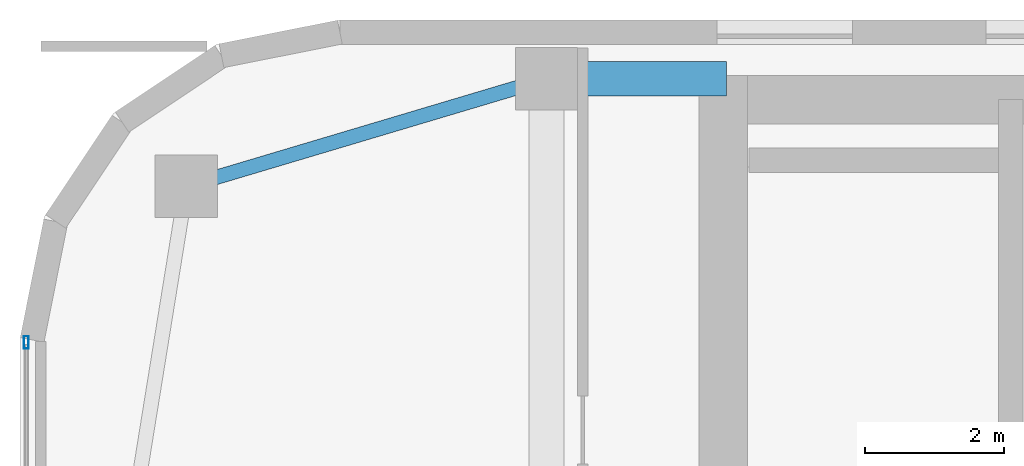
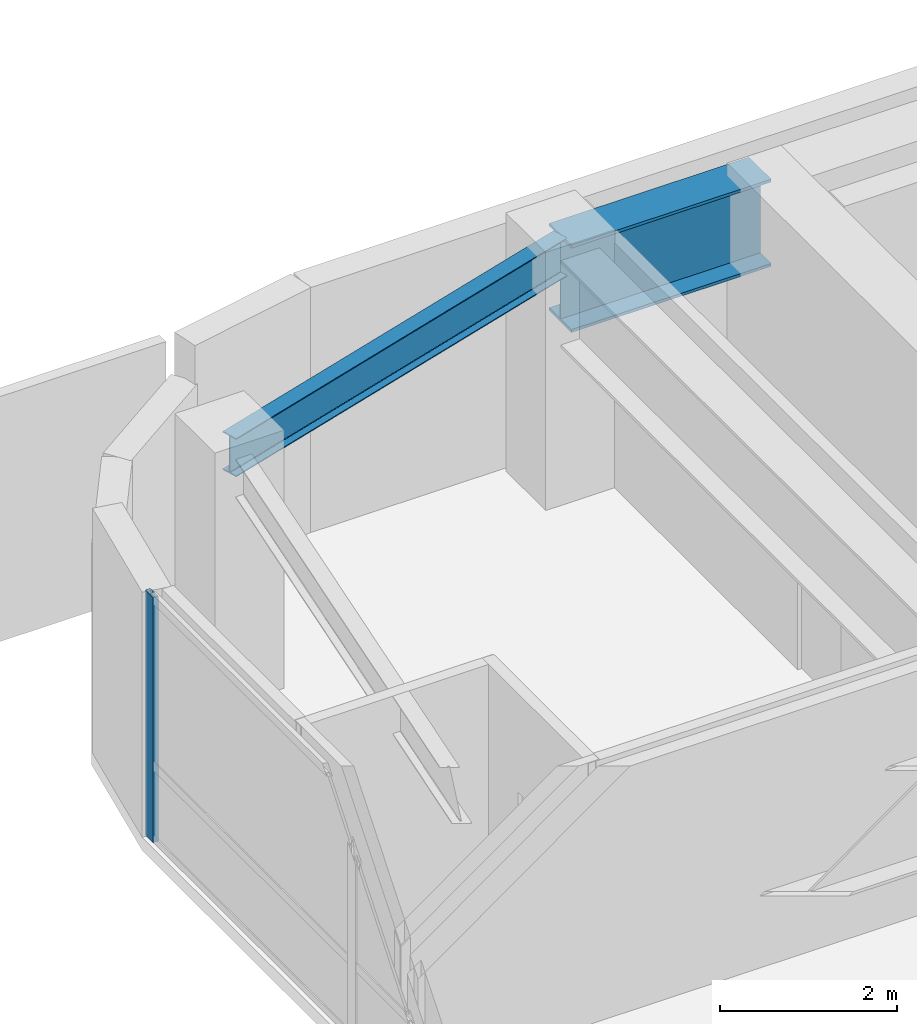
# One storey, part 21 of 30: 2 beams, 1 member, 1 element without a shape of its own.
"""IFC4 building model written with IfcOpenShell, lengths in metres."""

from ifc_helpers import new_model, si_unit, direction, frame, origin, origin_2d, place, context, subcontext, project, spatial, hollow_rectangle, i_section, extrude, source, transform, mapped, material, layer, layer_set, material_profile, profile_set, type_object, type_shapes, element, aggregate, save


model = new_model("IFC4")

# Units and contexts
model_context = context("Model", 3, precision=1e-05, world=origin(), true_north=direction((0.0, 1.0)))
body_context = subcontext(model_context, "Body", "Model", "MODEL_VIEW")
ifc_project = project(units=[si_unit("LENGTHUNIT", "METRE"), si_unit("AREAUNIT", "SQUARE_METRE"), si_unit("VOLUMEUNIT", "CUBIC_METRE"), si_unit("PLANEANGLEUNIT", "RADIAN"), si_unit("MASSUNIT", "GRAM", prefix="KILO")], contexts=[model_context])

# Site, building, storey
site_placement = place(None, origin())
site = spatial("IfcSite", under=ifc_project, at=site_placement, CompositionType="ELEMENT")
building_placement = place(site_placement, origin())
building = spatial("IfcBuilding", under=site, at=building_placement, Name="Tolvann Quenvar Hotel", CompositionType="ELEMENT")
storey_placement = place(building_placement, frame((0.0, 0.0, 100.89990234375)))
storey = spatial("IfcBuildingStorey", under=building, at=storey_placement, Name="L25", CompositionType="ELEMENT", Elevation=100.89990234375)

# Beams
ifc_material_1 = material(Name="Steel Grade 350", Category="steel")
ifc_material_profile_1 = material_profile(ifc_material_1, i_section(OverallWidth=0.208984375, OverallDepth=0.528076171875, WebThickness=0.009521484375, FlangeThickness=0.01318359375, FilletRadius=0.013916015625, at=origin_2d()), Name="530UB82")
ifc_profile_set_1 = profile_set([ifc_material_profile_1], Name="Steel Grade 350")
beam_type_1 = type_object("IfcBeamType", Name="BM_SPAND_530UB82", PredefinedType="SPANDREL", material=ifc_profile_set_1)
shared_shape_1 = source(origin(), body_context, "Body", "SweptSolid", [
    extrude(i_section(OverallWidth=0.208984375, OverallDepth=0.528076171875, WebThickness=0.009521484375, FlangeThickness=0.01318359375, FilletRadius=0.013916015625, at=origin_2d()), origin(), (0.0, 0.0, 1.0), 5.42626953125),
])
type_shapes(beam_type_1, [shared_shape_1])
beam_1_placement = place(storey_placement, frame((2.39990234375, 43.60009765625, 3.106201171875), z_axis=(0.958344815522, 0.285613750654, 0.0), x_axis=(-0.285613750654, 0.958344815522, 0.0)))
element("IfcBeam", 1, at=beam_1_placement, inside=storey, type_object=beam_type_1, Name="BM-L25-FLK-W3", PredefinedType="SPANDREL", context=body_context, shape_type="MappedRepresentation", body=[
    mapped(shared_shape_1, transform((0.0, 0.0, 0.0), x_axis=(1.0, 0.0, 0.0), y_axis=(0.0, 1.0, 0.0), z_axis=(0.0, 0.0, 1.0), scale=1.0)),
])
ifc_material_profile_2 = material_profile(ifc_material_1, i_section(OverallWidth=0.5, OverallDepth=1.199951171875, WebThickness=0.01611328125, FlangeThickness=0.0400390625, at=origin_2d()), Name="1200WB455")
ifc_profile_set_2 = profile_set([ifc_material_profile_2], Name="Steel Grade 350")
beam_type_2 = type_object("IfcBeamType", Name="BM_TG_1200WB455", PredefinedType="USERDEFINED", material=ifc_profile_set_2)
shared_shape_2 = source(origin(), body_context, "Body", "SweptSolid", [
    extrude(i_section(OverallWidth=0.5, OverallDepth=1.199951171875, WebThickness=0.01611328125, FlangeThickness=0.0400390625, at=origin_2d()), origin(), (0.0, 0.0, 1.0), 2.599853515625),
])
type_shapes(beam_type_2, [shared_shape_2])
beam_2_placement = place(storey_placement, frame((7.60009765625, 45.14990234375, 2.77001953125), z_axis=(1.0, 0.0, 0.0), x_axis=(0.0, 1.0, 0.0)))
element("IfcBeam", 2, at=beam_2_placement, inside=storey, type_object=beam_type_2, Name="BM-L25-CTW-CN", ObjectType="TRANSFER GIRDER", PredefinedType="USERDEFINED", context=body_context, shape_type="MappedRepresentation", body=[
    mapped(shared_shape_2, transform((0.0, 0.0, 0.0), x_axis=(1.0, 0.0, 0.0), y_axis=(0.0, 1.0, 0.0), z_axis=(0.0, 0.0, 1.0), scale=1.0)),
])

# Curtain wall, member
ifc_material_2 = material(Name="Thermally broken anodised architectural aluminium 6063-T6 and laminated low-E glass", Category="aluminium")
ifc_layer = layer(ifc_material_2, 0.179931640625)
ifc_layer_set = layer_set([ifc_layer], Name="Thermally broken anodised architectural aluminium 6063-T6 and laminated low-E glass")
curtain_wall_type = type_object("IfcCurtainWallType", Name="CW_SYS_BAND_04", PredefinedType="USERDEFINED", material=ifc_layer_set)
curtain_wall_placement = place(storey_placement, origin())
curtain_wall = element("IfcCurtainWall", 3, at=curtain_wall_placement, inside=storey, type_object=curtain_wall_type, Name="Curtain Wall CW-BAND-04 (CWR-L25-E23)", ObjectType="UNITISED CURTAIN WALL", PredefinedType="USERDEFINED")
ifc_material_3 = material(Name="Anodised architectural aluminium 6063-T6 framing", Category="aluminium")
ifc_material_profile_3 = material_profile(ifc_material_3, hollow_rectangle(XDim=0.070068359375, YDim=0.179931640625, WallThickness=0.00390625, at=origin_2d()), Name="180x70x4RHS")
ifc_profile_set_3 = profile_set([ifc_material_profile_3], Name="Anodised architectural aluminium 6063-T6 framing")
member_type = type_object("IfcMemberType", Name="CW_MULL_180x70", PredefinedType="MULLION", material=ifc_profile_set_3)
shared_shape_3 = source(origin(), body_context, "Body", "SweptSolid", [
    extrude(hollow_rectangle(XDim=0.070068359375, YDim=0.179931640625, WallThickness=0.00390625, at=origin_2d()), origin(), (0.0, 0.0, 1.0), 3.3701171875),
])
type_shapes(member_type, [shared_shape_3])
member_placement = place(storey_placement, frame((0.090087890625, 41.347900390625, 0.0), z_axis=(0.0, 0.0, 1.0), x_axis=(1.0, 0.0, 0.0)))
member = element("IfcMember", 4, at=member_placement, type_object=member_type, Name="CW-BAND-04 mullion 1", PredefinedType="MULLION", context=body_context, shape_type="MappedRepresentation", body=[
    mapped(shared_shape_3, transform((0.0, 0.0, 0.0), x_axis=(1.0, 0.0, 0.0), y_axis=(0.0, 1.0, 0.0), z_axis=(0.0, 0.0, 1.0), scale=1.0)),
])
aggregate(curtain_wall, [member])

save(model, "model.ifc")
